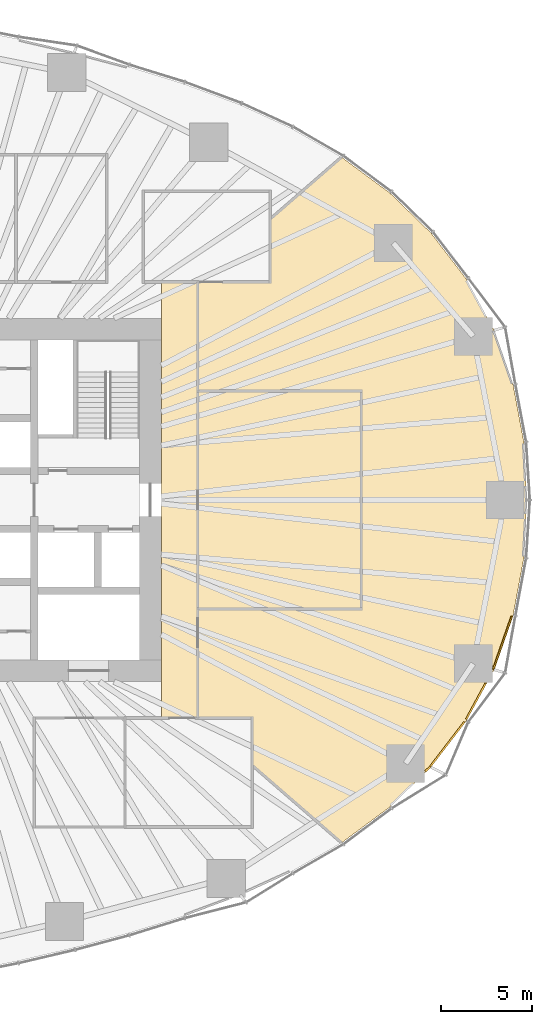
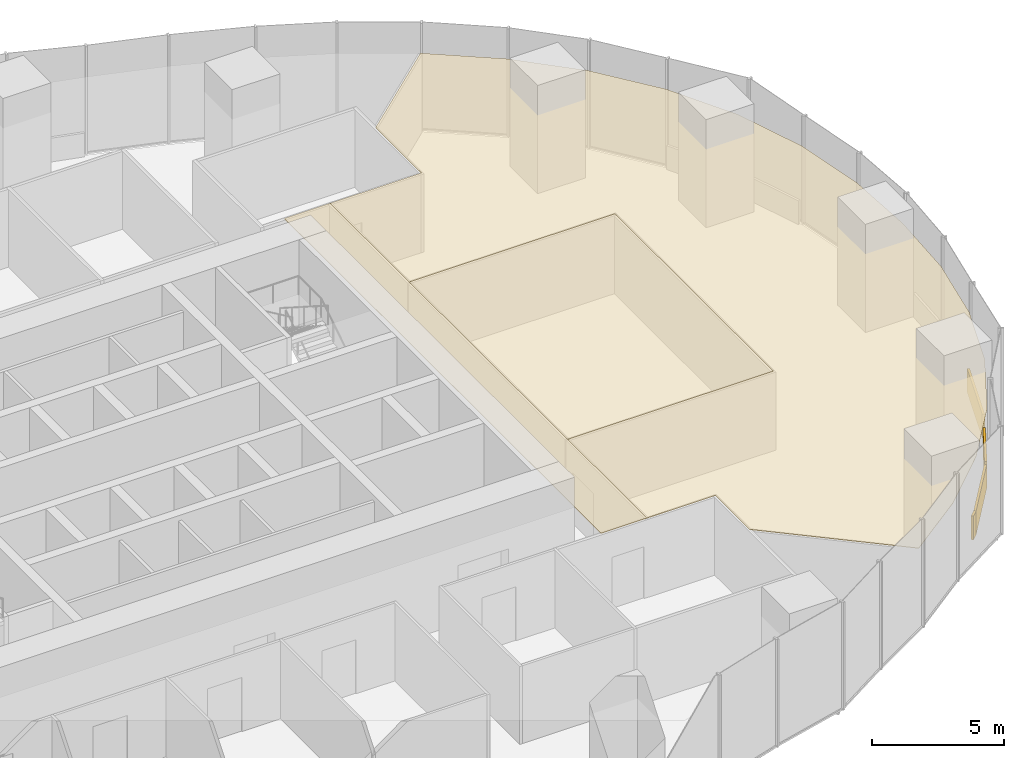
# One storey, part 18 of 20: 7 coverings.
"""IFC4 building model written with IfcOpenShell, lengths in metres."""

import ifcopenshell
import ifcopenshell.guid

model = None  # the IFC model being written
_history = None  # IfcOwnerHistory: only IFC2X3 demands one
_inside = {}  # id of a spatial element -> (the spatial element, [elements in it])
_under = {}  # id of a project, library or spatial element -> (it, [spatial elements below it])
_declared = {}  # id of a project -> (the project, [libraries it declares])
_typed = {}  # id of a type object -> (the type object, [elements of that type])
_made_of = {}  # id of a material, layer set ... -> (it, [elements and type objects made of it])


def new_model(schema):
    """Start an empty IFC model of exactly this schema.

    Asked for "IFC4X3", IfcOpenShell would pick the latest addendum, in which some entities
    have other attributes; the version numbers below select the first issue.
    IFC2X3 requires an IfcOwnerHistory on every rooted entity: one is made here for all.
    """
    global model, _history
    if schema == "IFC4X3":
        model = ifcopenshell.file(schema_version=(4, 3, 0, 0))
    else:
        model = ifcopenshell.file(schema=schema)
    _inside.clear()
    _under.clear()
    _declared.clear()
    _typed.clear()
    _made_of.clear()
    _history = None
    if model.schema == "IFC2X3":
        org = make("IfcOrganization", Name="unknown")
        user = make(
            "IfcPersonAndOrganization",
            ThePerson=make("IfcPerson", FamilyName="unknown"),
            TheOrganization=org,
        )
        app = make(
            "IfcApplication",
            ApplicationDeveloper=org,
            Version="unknown",
            ApplicationFullName="unknown",
            ApplicationIdentifier="unknown",
        )
        _history = make(
            "IfcOwnerHistory",
            OwningUser=user,
            OwningApplication=app,
            ChangeAction="ADDED",
            CreationDate=0,
        )
    return model


def make(cls, **values):
    """One entity of the class cls with the attributes given. An attribute that is None is left unset."""
    return model.create_entity(
        cls, **{name: value for name, value in values.items() if value is not None}
    )


def rooted(cls, **values):
    """An entity with a GlobalId (a new one), such as an element, a storey or a relation."""
    return make(cls, GlobalId=ifcopenshell.guid.new(), OwnerHistory=_history, **values)


def si_unit(unit_type, name, prefix=None):
    """IfcSIUnit, for example si_unit("LENGTHUNIT", "METRE", prefix="MILLI")."""
    return make("IfcSIUnit", UnitType=unit_type, Prefix=prefix, Name=name)


def assignment(units):
    """IfcUnitAssignment: the units of a project."""
    return None if units is None else make("IfcUnitAssignment", Units=units)


def point(xyz):
    """IfcCartesianPoint."""
    return None if xyz is None else make("IfcCartesianPoint", Coordinates=xyz)


def direction(xyz):
    """IfcDirection."""
    return None if xyz is None else make("IfcDirection", DirectionRatios=xyz)


def frame(location, z_axis=None, x_axis=None):
    """IfcAxis2Placement3D, a coordinate frame: its origin and axes. An axis left out is left unset."""
    return make(
        "IfcAxis2Placement3D",
        Location=point(location),
        Axis=direction(z_axis),
        RefDirection=direction(x_axis),
    )


def frame_2d(location, x_axis=None):
    """IfcAxis2Placement2D, a coordinate frame in the plane: its origin and x axis."""
    return make(
        "IfcAxis2Placement2D", Location=point(location), RefDirection=direction(x_axis)
    )


def origin():
    """The frame at (0, 0, 0) with its axes left unset."""
    return frame((0.0, 0.0, 0.0))


def origin_2d():
    """The frame at (0, 0) in the plane with its x axis left unset."""
    return frame_2d((0.0, 0.0))


def place(relative_to, where):
    """IfcLocalPlacement: puts the frame where relative to a parent placement (None: the world)."""
    return make(
        "IfcLocalPlacement", PlacementRelTo=relative_to, RelativePlacement=where
    )


def context(
    kind, dimensions, precision=None, world=None, true_north=None, identifier=None
):
    """IfcGeometricRepresentationContext, for example the 3D "Model" context."""
    return make(
        "IfcGeometricRepresentationContext",
        ContextIdentifier=identifier,
        ContextType=kind,
        CoordinateSpaceDimension=dimensions,
        Precision=precision,
        WorldCoordinateSystem=world,
        TrueNorth=true_north,
    )


def subcontext(parent, identifier, kind, view, scale=None):
    """IfcGeometricRepresentationSubContext, for example "Body" below "Model"."""
    return make(
        "IfcGeometricRepresentationSubContext",
        ContextIdentifier=identifier,
        ContextType=kind,
        ParentContext=parent,
        TargetScale=scale,
        TargetView=view,
    )


def project(units=None, contexts=None):
    """IfcProject with its units and contexts."""
    return rooted(
        "IfcProject",
        Name="project",
        RepresentationContexts=contexts,
        UnitsInContext=assignment(units),
    )


def spatial(cls, under=None, at=None, **own):
    """A site, building, storey or space (cls), placed at a placement, below another one or the project."""
    s = rooted(cls, ObjectPlacement=at, **own)
    if under is not None:
        _under.setdefault(under.id(), (under, []))[1].append(s)
    return s


def polyline(points):
    """IfcPolyline through the points."""
    return make("IfcPolyline", Points=[point(p) for p in points])


def profile(cls, at=None, kind="AREA", **sizes):
    """A parametric profile (cls). Its sizes go by their IFC names, for example OverallWidth=200.0."""
    return make(cls, ProfileType=kind, Position=at, **sizes)


def rectangle(**sizes):
    """IfcRectangleProfileDef."""
    return profile("IfcRectangleProfileDef", **sizes)


def outline(outer, holes=None, kind="AREA"):
    """IfcArbitraryClosedProfileDef: a profile drawn as a closed curve; with holes, ...WithVoids."""
    if holes is None:
        return make("IfcArbitraryClosedProfileDef", ProfileType=kind, OuterCurve=outer)
    return make(
        "IfcArbitraryProfileDefWithVoids",
        ProfileType=kind,
        OuterCurve=outer,
        InnerCurves=holes,
    )


def extrude(swept, where, along, depth):
    """IfcExtrudedAreaSolid: the profile swept, set in the frame where, extruded along a direction by depth."""
    return make(
        "IfcExtrudedAreaSolid",
        SweptArea=swept,
        Position=where,
        ExtrudedDirection=direction(along),
        Depth=depth,
    )


def shape(context_of_items, identifier, shape_type, items):
    """IfcShapeRepresentation: the items that make up one representation, for example the "Body"."""
    return make(
        "IfcShapeRepresentation",
        ContextOfItems=context_of_items,
        RepresentationIdentifier=identifier,
        RepresentationType=shape_type,
        Items=items,
    )


def material(Name=None, Category=None):
    """IfcMaterial."""
    return make("IfcMaterial", Name=Name, Category=Category)


def layer(
    of_material, thickness, ventilated=None, Name=None, Category=None, Priority=None
):
    """IfcMaterialLayer: one layer of a wall or slab, of a material (None: an air gap)."""
    return make(
        "IfcMaterialLayer",
        Material=of_material,
        LayerThickness=thickness,
        IsVentilated=ventilated,
        Name=Name,
        Category=Category,
        Priority=Priority,
    )


def layer_set(layers, Name=None):
    """IfcMaterialLayerSet."""
    return make("IfcMaterialLayerSet", MaterialLayers=layers, LayerSetName=Name)


def made_of(thing, what):
    """Note that an element or type object is made of a material, layer set ...; save() writes the relation."""
    if what is not None:
        _made_of.setdefault(what.id(), (what, []))[1].append(thing)
    return thing


def type_object(cls, material=None, **own):
    """A type object (cls), such as IfcWallType, which elements share."""
    return made_of(rooted(cls, **own), material)


def element(
    cls,
    number,
    at=None,
    inside=None,
    cuts=None,
    type_object=None,
    material=None,
    context=None,
    identifier="Body",
    shape_type=None,
    held_by="IfcProductDefinitionShape",
    body=None,
    shapes=None,
    **own,
):
    """One element of the class cls, such as IfcWall. Its Tag is "e" and its number.

    at: its placement. inside: the storey or other place that contains it. cuts: it is an
    opening in that element (IfcRelVoidsElement). A single representation is given by context,
    identifier, shape_type and body (its items); several are given by shapes. held_by: the class
    of the entity that holds the representations. save() writes the other relations.
    """
    e = rooted(cls, Tag="e%d" % number, ObjectPlacement=at, **own)
    if body is not None:
        shapes = [shape(context, identifier, shape_type, body)]
    if shapes is not None:
        e.Representation = make(held_by, Representations=shapes)
    if inside is not None:
        _inside.setdefault(inside.id(), (inside, []))[1].append(e)
    if cuts is not None:
        rooted(
            "IfcRelVoidsElement", RelatingBuildingElement=cuts, RelatedOpeningElement=e
        )
    if type_object is not None:
        _typed.setdefault(type_object.id(), (type_object, []))[1].append(e)
    return made_of(e, material)


def aggregate(whole, parts):
    """IfcRelAggregates: a whole, such as a stair, and the parts it consists of."""
    return rooted("IfcRelAggregates", RelatingObject=whole, RelatedObjects=parts)


def save(model, path):
    """Write the relations noted so far, then the file.

    IfcRelAggregates (storeys below a building ...), IfcRelContainedInSpatialStructure (elements
    in a storey), IfcRelDefinesByType, IfcRelAssociatesMaterial and IfcRelDeclares: one each for
    every whole, place, type object, material and project.
    """
    for whole, parts in _under.values():
        aggregate(whole, parts)
    for where, things in _inside.values():
        rooted(
            "IfcRelContainedInSpatialStructure",
            RelatedElements=things,
            RelatingStructure=where,
        )
    for kind, things in _typed.values():
        rooted("IfcRelDefinesByType", RelatedObjects=things, RelatingType=kind)
    for what, things in _made_of.values():
        rooted("IfcRelAssociatesMaterial", RelatedObjects=things, RelatingMaterial=what)
    for by, libraries in _declared.values():
        rooted("IfcRelDeclares", RelatingContext=by, RelatedDefinitions=libraries)
    model.write(path)


model = new_model("IFC4")

# Units and contexts
model_context = context("Model", 3, precision=1e-05, world=origin(), true_north=direction((0.0, 1.0)))
body_context = subcontext(model_context, "Body", "Model", "MODEL_VIEW")
ifc_project = project(units=[si_unit("LENGTHUNIT", "METRE"), si_unit("AREAUNIT", "SQUARE_METRE"), si_unit("VOLUMEUNIT", "CUBIC_METRE"), si_unit("PLANEANGLEUNIT", "RADIAN"), si_unit("MASSUNIT", "GRAM", prefix="KILO")], contexts=[model_context])

# Site, building, storey
site_placement = place(None, origin())
site = spatial("IfcSite", under=ifc_project, at=site_placement, CompositionType="ELEMENT")
building_placement = place(site_placement, origin())
building = spatial("IfcBuilding", under=site, at=building_placement, Name="Ghaith Harvest Tower", CompositionType="ELEMENT")
storey_placement = place(building_placement, frame((0.0, 0.0, 50.0)))
storey = spatial("IfcBuildingStorey", under=building, at=storey_placement, Name="L10", CompositionType="ELEMENT", Elevation=50.0)

# Coverings
ifc_material_1 = material(Name="Mineral fibre ceiling tile", Category="gypsum")
ifc_layer_1 = layer(ifc_material_1, 0.02490234375)
ifc_layer_set_1 = layer_set([ifc_layer_1], Name="CEILING C2")
covering_type_1 = type_object("IfcCoveringType", Name="CEILING C2", PredefinedType="CEILING", material=ifc_layer_set_1)
covering_1_placement = place(storey_placement, frame((0.0, 0.0, 3.60009765625)))
element("IfcCovering", 1, at=covering_1_placement, inside=storey, type_object=covering_type_1, Name="Ceiling L10-13", PredefinedType="CEILING", context=body_context, shape_type="SweptSolid", body=[
    extrude(outline(polyline([(16.0, -6.0), (25.0, -6.0), (25.0, 6.0), (16.0, 6.0), (16.0, -6.0)])), origin(), (0.0, 0.0, 1.0), 0.02490234375),
])
covering_2_placement = place(storey_placement, frame((0.0, 0.0, 3.60009765625)))
element("IfcCovering", 2, at=covering_2_placement, inside=storey, type_object=covering_type_1, Name="Ceiling L10-C2", PredefinedType="CEILING", context=body_context, shape_type="SweptSolid", body=[
    extrude(outline(polyline([(14.0, -12.0), (14.0, 12.0), (16.0, 12.0), (16.0, -12.0), (14.0, -12.0)])), origin(), (0.0, 0.0, 1.0), 0.02490234375),
])
covering_3_placement = place(storey_placement, frame((0.0, 0.0, 3.60009765625)))
element("IfcCovering", 3, at=covering_3_placement, inside=storey, type_object=covering_type_1, Name="Ceiling L10-E1", PredefinedType="CEILING", context=body_context, shape_type="SweptSolid", body=[
    extrude(outline(polyline([(26.572509765625, 16.9111328125), (28.840087890625, 14.708984375), (30.78515625, 12.1708984375), (32.318359375, 9.3408203125), (33.37158203125, 6.333984375), (33.95849609375, 3.194091796875), (34.125, 0.0), (33.95849609375, -3.194091796875), (33.37158203125, -6.333984375), (32.318359375, -9.3408203125), (30.78515625, -12.1708984375), (28.840087890625, -14.708984375), (26.572509765625, -16.9111328125), (23.92431640625, -18.873046875), (19.0, -14.60205078125), (19.0, -12.0), (16.0, -12.0), (16.0, -6.0), (25.0, -6.0), (25.0, 6.0), (16.0, 6.0), (16.0, 12.0), (20.0, 12.0), (20.0, 15.469482421875), (23.92431640625, 18.873046875), (26.572509765625, 16.9111328125)])), origin(), (0.0, 0.0, 1.0), 0.02490234375),
])
ifc_material_2 = material(Name="Insulated aluminium spandrel panel on steel framing", Category="steel")
ifc_layer_2 = layer(ifc_material_2, 0.10009765625)
ifc_layer_set_2 = layer_set([ifc_layer_2], Name="SLAB EDGE UPSTAND 1100x100")
covering_type_2 = type_object("IfcCoveringType", Name="SLAB EDGE UPSTAND 1100x100", PredefinedType="CLADDING", material=ifc_layer_set_2)
covering_4_placement = place(storey_placement, frame((28.674560546875, -14.800048828125, 0.0), z_axis=(0.0, 0.0, 1.0), x_axis=(0.717386427289, 0.69667547247, 0.0)))
element("IfcCovering", 4, at=covering_4_placement, inside=storey, type_object=covering_type_2, Name="Slab edge upstand 1 bay 19 L10", PredefinedType="CLADDING", context=body_context, shape_type="SweptSolid", body=[
    extrude(rectangle(XDim=0.364501953125, YDim=0.10009765625, at=origin_2d()), origin(), (0.0, 0.0, 1.0), 1.10009765625),
])
covering_5_placement = place(storey_placement, frame((29.74267578125, -13.44921875, 0.0), z_axis=(0.0, 0.0, 1.0), x_axis=(0.608255123652, 0.7937415855, 0.0)))
element("IfcCovering", 5, at=covering_5_placement, inside=storey, type_object=covering_type_2, Name="Slab edge upstand 2 bay 19 L10", PredefinedType="CLADDING", context=body_context, shape_type="SweptSolid", body=[
    extrude(rectangle(XDim=3.09765625, YDim=0.10009765625, at=origin_2d()), origin(), (0.0, 0.0, 1.0), 1.10009765625),
])
covering_6_placement = place(storey_placement, frame((31.32177734375, -11.075439453125, 0.0), z_axis=(0.0, 0.0, 1.0), x_axis=(0.4763492928, 0.879256135178, 0.0)))
element("IfcCovering", 6, at=covering_6_placement, inside=storey, type_object=covering_type_2, Name="Slab edge upstand 3 bay 19 L10", PredefinedType="CLADDING", context=body_context, shape_type="SweptSolid", body=[
    extrude(rectangle(XDim=2.237548828125, YDim=0.10009765625, at=origin_2d()), origin(), (0.0, 0.0, 1.0), 1.10009765625),
])
covering_7_placement = place(storey_placement, frame((32.7822265625, -7.865234375, 0.0), z_axis=(0.0, 0.0, 1.0), x_axis=(0.330597697302, 0.943771774604, 0.0)))
element("IfcCovering", 7, at=covering_7_placement, inside=storey, type_object=covering_type_2, Name="Slab edge upstand 1 bay 20 L10", PredefinedType="CLADDING", context=body_context, shape_type="SweptSolid", body=[
    extrude(rectangle(XDim=3.080078125, YDim=0.10009765625, at=origin_2d()), origin(), (0.0, 0.0, 1.0), 1.10009765625),
])

save(model, "model.ifc")
